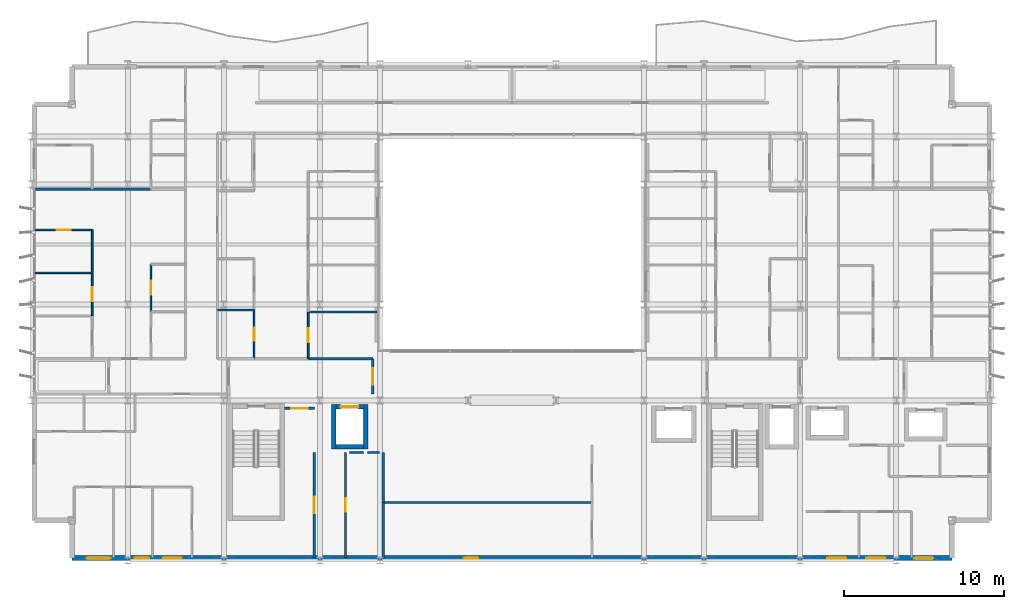
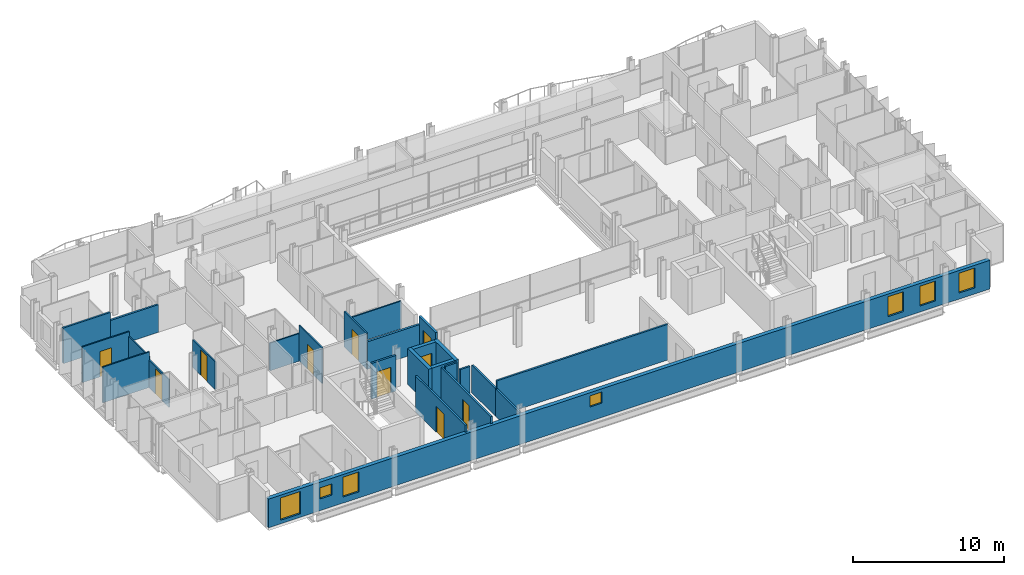
# One storey, part 28 of 38: 26 walls, 10 doors, 7 windows, 17 openings.
"""IFC4 building model written with IfcOpenShell, lengths in metres."""

from ifc_helpers import new_model, si_unit, direction, frame, frame_2d, origin, place, context, subcontext, project, spatial, rectangle, extrude, material, layer, layer_set, type_object, element, fill, save


model = new_model("IFC4")

# Units and contexts
model_context = context("Model", 3, precision=1e-05, world=origin(), true_north=direction((0.0, 1.0)))
body_context = subcontext(model_context, "Body", "Model", "MODEL_VIEW")
ifc_project = project(units=[si_unit("LENGTHUNIT", "METRE"), si_unit("AREAUNIT", "SQUARE_METRE"), si_unit("VOLUMEUNIT", "CUBIC_METRE"), si_unit("PLANEANGLEUNIT", "RADIAN"), si_unit("MASSUNIT", "GRAM", prefix="KILO")], contexts=[model_context])

# Site, building, storey
site_placement = place(None, origin())
site = spatial("IfcSite", under=ifc_project, at=site_placement, CompositionType="ELEMENT")
building_placement = place(site_placement, origin())
building = spatial("IfcBuilding", under=site, at=building_placement, Name="Brevholm Reach", CompositionType="ELEMENT")
storey_placement = place(building_placement, frame((0.0, 0.0, 71.39990234375)))
storey = spatial("IfcBuildingStorey", under=building, at=storey_placement, Name="L20", CompositionType="ELEMENT", Elevation=71.39990234375)

# Walls
ifc_material_1 = material(Name="Concrete C50/60", Category="concrete")
ifc_layer_1 = layer(ifc_material_1, 0.280029296875)
ifc_layer_set_1 = layer_set([ifc_layer_1], Name="Concrete C50/60")
wall_type_1 = type_object("IfcWallType", Name="WAL-COR-280", PredefinedType="SHEAR", material=ifc_layer_set_1)
for number, where, z_axis, x_axis, name in (
    (1, (18.85009765625, 6.9599609375, 0.0), (0.0, 0.0, 1.0), (0.0, 1.0, 0.0), "L20 Lift FFL-1 Shaft Wall W"),
    (2, (20.85009765625, 6.9599609375, 0.0), (0.0, 0.0, 1.0), (0.0, 1.0, 0.0), "L20 Lift FFL-1 Shaft Wall E"),
):
    element("IfcWall", number, at=place(storey_placement, frame(where, z_axis=z_axis, x_axis=x_axis)), inside=storey, type_object=wall_type_1, Name=name, PredefinedType="SHEAR", context=body_context, shape_type="SweptSolid", body=[
        extrude(rectangle(XDim=2.780029296875, YDim=0.280029296875, at=frame_2d((1.39013671875, 0.0))), origin(), (0.0, 0.0, 1.0), 2.8701171875),
    ])
wall_1_placement = place(storey_placement, frame((18.989990234375, 7.10009765625, 0.0), z_axis=(0.0, 0.0, 1.0), x_axis=(1.0, 0.0, 0.0)))
element("IfcWall", 3, at=wall_1_placement, inside=storey, type_object=wall_type_1, Name="L20 Lift FFL-1 Shaft Wall S", PredefinedType="SHEAR", context=body_context, shape_type="SweptSolid", body=[
    extrude(rectangle(XDim=1.719970703125, YDim=0.280029296875, at=frame_2d((0.85986328125, 0.0))), origin(), (0.0, 0.0, 1.0), 2.8701171875),
])

# Wall, opening, door
wall_2_placement = place(storey_placement, frame((18.989990234375, 9.60009765625, 0.0), z_axis=(0.0, 0.0, 1.0), x_axis=(1.0, 0.0, 0.0)))
wall_2 = element("IfcWall", 4, at=wall_2_placement, inside=storey, type_object=wall_type_1, Name="L20 Lift FFL-1 Shaft Wall N", PredefinedType="SHEAR", context=body_context, shape_type="SweptSolid", body=[
    extrude(rectangle(XDim=1.719970703125, YDim=0.280029296875, at=frame_2d((0.85986328125, 0.0))), origin(), (0.0, 0.0, 1.0), 2.8701171875),
])
opening_1_placement = place(wall_2_placement, frame((0.31005859375, 0.0, 0.0)))
opening_1 = element("IfcOpeningElement", 5, at=opening_1_placement, cuts=wall_2, Name="Opening LD-FFL-1", PredefinedType="OPENING", context=body_context, shape_type="SweptSolid", body=[
    extrude(rectangle(XDim=1.10009765625, YDim=2.06005859375, at=frame_2d((0.550048828125, 1.030029296875))), frame((0.0, 0.14990234375, 0.0), z_axis=(0.0, -1.0, 0.0), x_axis=(1.0, 0.0, 0.0)), (0.0, 0.0, 1.0), 0.300048828125),
])
ifc_material_2 = material(Name="Brushed Stainless Steel Fire-Rated Sliding Lift Door", Category="steel")
door_type_1 = type_object("IfcDoorType", Name="DOR-LFT-1100", OperationType="NOTDEFINED", PredefinedType="DOOR", material=ifc_material_2)
door_1_placement = place(opening_1_placement, origin())
door_1 = element("IfcDoor", 6, at=door_1_placement, inside=storey, type_object=door_type_1, Name="L20 Lift FFL-1 Sliding Landing Door", OperationType="SLIDING_TO_RIGHT", OverallHeight=2.06005859375, OverallWidth=1.10009765625, PredefinedType="DOOR", context=body_context, shape_type="SweptSolid", body=[
    extrude(rectangle(XDim=1.10009765625, YDim=2.06005859375, at=frame_2d((0.550048828125, 1.030029296875))), frame((0.0, 0.02490234375, 0.0), z_axis=(0.0, -1.0, 0.0), x_axis=(1.0, 0.0, 0.0)), (0.0, 0.0, 1.0), 0.050048828125),
])
fill(opening_1, door_1)

# Wall, openings, windows
ifc_material_3 = material(Name="Concrete C40/50", Category="concrete")
ifc_layer_2 = layer(ifc_material_3, 0.300048828125)
ifc_layer_set_2 = layer_set([ifc_layer_2], Name="Concrete C40/50")
wall_type_2 = type_object("IfcWallType", Name="WAL-EXT-300", PredefinedType="STANDARD", material=ifc_layer_set_2)
wall_3_placement = place(storey_placement, frame((2.5, 0.14990234375, 0.0), z_axis=(0.0, 0.0, 1.0), x_axis=(1.0, 0.0, 0.0)))
wall_3 = element("IfcWall", 7, at=wall_3_placement, inside=storey, type_object=wall_type_2, Name="L20 Facade Wall WAL-L20-S", PredefinedType="STANDARD", context=body_context, shape_type="SweptSolid", body=[
    extrude(rectangle(XDim=55.0, YDim=0.300048828125, at=frame_2d((27.5, 0.0))), origin(), (0.0, 0.0, 1.0), 2.3056640625),
])
opening_2_placement = place(wall_3_placement, frame((0.919921875, 0.0, 0.284912109375)))
opening_2 = element("IfcOpeningElement", 8, at=opening_2_placement, cuts=wall_3, Name="Opening WN-05", PredefinedType="OPENING", context=body_context, shape_type="SweptSolid", body=[
    extrude(rectangle(XDim=1.5, YDim=1.800048828125, at=frame_2d((0.75, 0.89990234375))), frame((0.0, 0.159912109375, 0.0), z_axis=(0.0, -1.0, 0.0), x_axis=(1.0, 0.0, 0.0)), (0.0, 0.0, 1.0), 0.320068359375),
])
opening_3_placement = place(wall_3_placement, frame((24.5, 0.0, 1.14990234375)))
opening_3 = element("IfcOpeningElement", 9, at=opening_3_placement, cuts=wall_3, Name="Opening WN-09", PredefinedType="OPENING", context=body_context, shape_type="SweptSolid", body=[
    extrude(rectangle(XDim=0.89990234375, YDim=0.89990234375, at=frame_2d((0.449951171875, 0.449951171875))), frame((0.0, 0.159912109375, 0.0), z_axis=(0.0, -1.0, 0.0), x_axis=(1.0, 0.0, 0.0)), (0.0, 0.0, 1.0), 0.320068359375),
])
opening_4_placement = place(wall_3_placement, frame((47.199951171875, 0.0, 0.485107421875)))
opening_4 = element("IfcOpeningElement", 10, at=opening_4_placement, cuts=wall_3, Name="Opening WN-08", PredefinedType="OPENING", context=body_context, shape_type="SweptSolid", body=[
    extrude(rectangle(XDim=1.199951171875, YDim=1.60009765625, at=frame_2d((0.60009765625, 0.800048828125))), frame((0.0, 0.159912109375, 0.0), z_axis=(0.0, -1.0, 0.0), x_axis=(1.0, 0.0, 0.0)), (0.0, 0.0, 1.0), 0.320068359375),
])
opening_5_placement = place(wall_3_placement, frame((52.6298828125, 0.0, 0.485107421875)))
opening_5 = element("IfcOpeningElement", 11, at=opening_5_placement, cuts=wall_3, Name="Opening WN-08", PredefinedType="OPENING", context=body_context, shape_type="SweptSolid", body=[
    extrude(rectangle(XDim=1.199951171875, YDim=1.60009765625, at=frame_2d((0.60009765625, 0.800048828125))), frame((0.0, 0.159912109375, 0.0), z_axis=(0.0, -1.0, 0.0), x_axis=(1.0, 0.0, 0.0)), (0.0, 0.0, 1.0), 0.320068359375),
])
opening_6_placement = place(wall_3_placement, frame((3.923828125, 0.0, 0.949951171875)))
opening_6 = element("IfcOpeningElement", 12, at=opening_6_placement, cuts=wall_3, Name="Opening WN-09", PredefinedType="OPENING", context=body_context, shape_type="SweptSolid", body=[
    extrude(rectangle(XDim=0.89990234375, YDim=0.89990234375, at=frame_2d((0.449951171875, 0.449951171875))), frame((0.0, 0.159912109375, 0.0), z_axis=(0.0, -1.0, 0.0), x_axis=(1.0, 0.0, 0.0)), (0.0, 0.0, 1.0), 0.320068359375),
])
opening_7_placement = place(wall_3_placement, frame((5.675048828125, 0.0, 0.485595703125)))
opening_7 = element("IfcOpeningElement", 13, at=opening_7_placement, cuts=wall_3, Name="Opening WN-08", PredefinedType="OPENING", context=body_context, shape_type="SweptSolid", body=[
    extrude(rectangle(XDim=1.199951171875, YDim=1.60009765625, at=frame_2d((0.60009765625, 0.800048828125))), frame((0.0, 0.159912109375, 0.0), z_axis=(0.0, -1.0, 0.0), x_axis=(1.0, 0.0, 0.0)), (0.0, 0.0, 1.0), 0.320068359375),
])
opening_8_placement = place(wall_3_placement, frame((49.638671875, 0.0, 0.485595703125)))
opening_8 = element("IfcOpeningElement", 14, at=opening_8_placement, cuts=wall_3, Name="Opening WN-08", PredefinedType="OPENING", context=body_context, shape_type="SweptSolid", body=[
    extrude(rectangle(XDim=1.199951171875, YDim=1.60009765625, at=frame_2d((0.60009765625, 0.800048828125))), frame((0.0, 0.159912109375, 0.0), z_axis=(0.0, -1.0, 0.0), x_axis=(1.0, 0.0, 0.0)), (0.0, 0.0, 1.0), 0.320068359375),
])
ifc_material_4 = material(Name="Dark Anodised Aluminium and Solar-Control IGU Glass", Category="aluminium")
window_type_1 = type_object("IfcWindowType", Name="WIN-POR-0900", PartitioningType="SINGLE_PANEL", PredefinedType="WINDOW", material=ifc_material_4)
window_1_placement = place(opening_3_placement, origin())
window_1 = element("IfcWindow", 15, at=window_1_placement, inside=storey, type_object=window_type_1, Name="L20 Window WIN-L20-S-POR", OverallHeight=0.89990234375, OverallWidth=0.89990234375, PartitioningType="SINGLE_PANEL", PredefinedType="WINDOW", context=body_context, shape_type="SweptSolid", body=[
    extrude(rectangle(XDim=0.89990234375, YDim=0.89990234375, at=frame_2d((0.449951171875, 0.449951171875))), frame((0.0, 0.030029296875, 0.0), z_axis=(0.0, -1.0, 0.0), x_axis=(1.0, 0.0, 0.0)), (0.0, 0.0, 1.0), 0.06005859375),
])
fill(opening_3, window_1)
window_2_placement = place(opening_6_placement, origin())
window_2 = element("IfcWindow", 16, at=window_2_placement, inside=storey, type_object=window_type_1, Name="L20 Bedroom Window 018", OverallHeight=0.89990234375, OverallWidth=0.89990234375, PartitioningType="SINGLE_PANEL", PredefinedType="WINDOW", context=body_context, shape_type="SweptSolid", body=[
    extrude(rectangle(XDim=0.89990234375, YDim=0.89990234375, at=frame_2d((0.449951171875, 0.449951171875))), frame((0.0, 0.030029296875, 0.0), z_axis=(0.0, -1.0, 0.0), x_axis=(1.0, 0.0, 0.0)), (0.0, 0.0, 1.0), 0.06005859375),
])
fill(opening_6, window_2)
ifc_material_5 = material(Name="Dark Anodised Aluminium and Solar-Control IGU Glass", Category="aluminium")
window_type_2 = type_object("IfcWindowType", Name="WIN-RES-1200", PartitioningType="SINGLE_PANEL", PredefinedType="WINDOW", material=ifc_material_5)
window_3_placement = place(opening_4_placement, origin())
window_3 = element("IfcWindow", 17, at=window_3_placement, inside=storey, type_object=window_type_2, Name="L20 Window WIN-L20-S-E1", OverallHeight=1.60009765625, OverallWidth=1.199951171875, PartitioningType="SINGLE_PANEL", PredefinedType="WINDOW", context=body_context, shape_type="SweptSolid", body=[
    extrude(rectangle(XDim=1.199951171875, YDim=1.60009765625, at=frame_2d((0.60009765625, 0.800048828125))), frame((0.0, 0.030029296875, 0.0), z_axis=(0.0, -1.0, 0.0), x_axis=(1.0, 0.0, 0.0)), (0.0, 0.0, 1.0), 0.06005859375),
])
fill(opening_4, window_3)
window_4_placement = place(opening_5_placement, origin())
window_4 = element("IfcWindow", 18, at=window_4_placement, inside=storey, type_object=window_type_2, Name="L20 Window WIN-L20-S-E2", OverallHeight=1.60009765625, OverallWidth=1.199951171875, PartitioningType="SINGLE_PANEL", PredefinedType="WINDOW", context=body_context, shape_type="SweptSolid", body=[
    extrude(rectangle(XDim=1.199951171875, YDim=1.60009765625, at=frame_2d((0.60009765625, 0.800048828125))), frame((0.0, 0.030029296875, 0.0), z_axis=(0.0, -1.0, 0.0), x_axis=(1.0, 0.0, 0.0)), (0.0, 0.0, 1.0), 0.06005859375),
])
fill(opening_5, window_4)
window_5_placement = place(opening_7_placement, origin())
window_5 = element("IfcWindow", 19, at=window_5_placement, inside=storey, type_object=window_type_2, Name="L20 Bedroom Window 019", OverallHeight=1.60009765625, OverallWidth=1.199951171875, PartitioningType="SINGLE_PANEL", PredefinedType="WINDOW", context=body_context, shape_type="SweptSolid", body=[
    extrude(rectangle(XDim=1.199951171875, YDim=1.60009765625, at=frame_2d((0.60009765625, 0.800048828125))), frame((0.0, 0.030029296875, 0.0), z_axis=(0.0, -1.0, 0.0), x_axis=(1.0, 0.0, 0.0)), (0.0, 0.0, 1.0), 0.06005859375),
])
fill(opening_7, window_5)
window_6_placement = place(opening_8_placement, origin())
window_6 = element("IfcWindow", 20, at=window_6_placement, inside=storey, type_object=window_type_2, Name="L20 Bedroom Window 020", OverallHeight=1.60009765625, OverallWidth=1.199951171875, PartitioningType="SINGLE_PANEL", PredefinedType="WINDOW", context=body_context, shape_type="SweptSolid", body=[
    extrude(rectangle(XDim=1.199951171875, YDim=1.60009765625, at=frame_2d((0.60009765625, 0.800048828125))), frame((0.0, 0.030029296875, 0.0), z_axis=(0.0, -1.0, 0.0), x_axis=(1.0, 0.0, 0.0)), (0.0, 0.0, 1.0), 0.06005859375),
])
fill(opening_8, window_6)
ifc_material_6 = material(Name="Dark Anodised Aluminium and Solar-Control IGU Glass", Category="aluminium")
window_type_3 = type_object("IfcWindowType", Name="WIN-RES-1500", PartitioningType="SINGLE_PANEL", PredefinedType="WINDOW", material=ifc_material_6)
window_7_placement = place(opening_2_placement, origin())
window_7 = element("IfcWindow", 21, at=window_7_placement, inside=storey, type_object=window_type_3, Name="L20 Window WIN-L20-S-W1", OverallHeight=1.800048828125, OverallWidth=1.5, PartitioningType="SINGLE_PANEL", PredefinedType="WINDOW", context=body_context, shape_type="SweptSolid", body=[
    extrude(rectangle(XDim=1.5, YDim=1.800048828125, at=frame_2d((0.75, 0.89990234375))), frame((0.0, 0.030029296875, 0.0), z_axis=(0.0, -1.0, 0.0), x_axis=(1.0, 0.0, 0.0)), (0.0, 0.0, 1.0), 0.06005859375),
])
fill(opening_2, window_7)

# Wall, opening, door
ifc_material_7 = material(Name="Moisture-Resistant Acoustic Gypsum Stud Partition 100 mm", Category="gypsum")
ifc_layer_3 = layer(ifc_material_7, 0.10009765625)
ifc_layer_set_3 = layer_set([ifc_layer_3], Name="Moisture-Resistant Acoustic Gypsum Stud Partition 100 mm")
wall_type_3 = type_object("IfcWallType", Name="WAL-PRT-100", PredefinedType="PARTITIONING", material=ifc_layer_set_3)
wall_4_placement = place(storey_placement, frame((7.43798828125, 15.5458984375, 0.0), z_axis=(0.0, 0.0, 1.0), x_axis=(0.0, 1.0, 0.0)))
wall_4 = element("IfcWall", 22, at=wall_4_placement, inside=storey, type_object=wall_type_3, Name="L20 Internal Partition 090", PredefinedType="PARTITIONING", context=body_context, shape_type="SweptSolid", body=[
    extrude(rectangle(XDim=2.964111328125, YDim=0.10009765625, at=frame_2d((1.48193359375, 0.0))), origin(), (0.0, 0.0, 1.0), 2.224853515625),
])
opening_9_placement = place(wall_4_placement, frame((1.0419921875, 0.0, 0.0)))
opening_9 = element("IfcOpeningElement", 23, at=opening_9_placement, cuts=wall_4, Name="Opening ID-01", PredefinedType="OPENING", context=body_context, shape_type="SweptSolid", body=[
    extrude(rectangle(XDim=0.8798828125, YDim=2.0400390625, at=frame_2d((0.43994140625, 1.02001953125))), frame((0.0, 0.06005859375, 0.0), z_axis=(0.0, -1.0, 0.0), x_axis=(1.0, 0.0, 0.0)), (0.0, 0.0, 1.0), 0.1201171875),
])
ifc_material_8 = material(Name="Lacquered Ash Solid-Core Acoustic Internal Door", Category="timber")
door_type_2 = type_object("IfcDoorType", Name="DOR-INT-880", OperationType="NOTDEFINED", PredefinedType="DOOR", material=ifc_material_8)
door_2_placement = place(opening_9_placement, origin())
door_2 = element("IfcDoor", 24, at=door_2_placement, inside=storey, type_object=door_type_2, Name="L20 Internal Door 031", OperationType="SINGLE_SWING_RIGHT", OverallHeight=2.0400390625, OverallWidth=0.8798828125, PredefinedType="DOOR", context=body_context, shape_type="SweptSolid", body=[
    extrude(rectangle(XDim=0.8798828125, YDim=2.0400390625, at=frame_2d((0.43994140625, 1.02001953125))), frame((0.0, 0.02490234375, 0.0), z_axis=(0.0, -1.0, 0.0), x_axis=(1.0, 0.0, 0.0)), (0.0, 0.0, 1.0), 0.050048828125),
])
fill(opening_9, door_2)

# Wall
wall_5_placement = place(storey_placement, frame((0.199951171875, 17.969970703125, 0.0), z_axis=(0.0, 0.0, 1.0), x_axis=(1.0, 0.0, 0.0)))
element("IfcWall", 25, at=wall_5_placement, inside=storey, type_object=wall_type_3, Name="L20 Internal Partition 093", PredefinedType="PARTITIONING", context=body_context, shape_type="SweptSolid", body=[
    extrude(rectangle(XDim=3.572021484375, YDim=0.10009765625, at=frame_2d((1.7861328125, 0.0))), origin(), (0.0, 0.0, 1.0), 2.8701171875),
])

# Wall, opening, door
wall_6_placement = place(storey_placement, frame((3.77197265625, 15.2890625, 0.0), z_axis=(0.0, 0.0, 1.0), x_axis=(0.0, 1.0, 0.0)))
wall_6 = element("IfcWall", 26, at=wall_6_placement, inside=storey, type_object=wall_type_3, Name="L20 Internal Partition 094", PredefinedType="PARTITIONING", context=body_context, shape_type="SweptSolid", body=[
    extrude(rectangle(XDim=2.680908203125, YDim=0.10009765625, at=frame_2d((1.34033203125, 0.0))), origin(), (0.0, 0.0, 1.0), 2.224853515625),
])
opening_10_placement = place(wall_6_placement, frame((0.900390625, 0.0, 0.0)))
opening_10 = element("IfcOpeningElement", 27, at=opening_10_placement, cuts=wall_6, Name="Opening ID-01", PredefinedType="OPENING", context=body_context, shape_type="SweptSolid", body=[
    extrude(rectangle(XDim=0.8798828125, YDim=2.0400390625, at=frame_2d((0.43994140625, 1.02001953125))), frame((0.0, 0.06005859375, 0.0), z_axis=(0.0, -1.0, 0.0), x_axis=(1.0, 0.0, 0.0)), (0.0, 0.0, 1.0), 0.1201171875),
])
door_3_placement = place(opening_10_placement, origin())
door_3 = element("IfcDoor", 28, at=door_3_placement, inside=storey, type_object=door_type_2, Name="L20 Internal Door 033", OperationType="SINGLE_SWING_RIGHT", OverallHeight=2.0400390625, OverallWidth=0.8798828125, PredefinedType="DOOR", context=body_context, shape_type="SweptSolid", body=[
    extrude(rectangle(XDim=0.8798828125, YDim=2.0400390625, at=frame_2d((0.43994140625, 1.02001953125))), frame((0.0, 0.02490234375, 0.0), z_axis=(0.0, -1.0, 0.0), x_axis=(1.0, 0.0, 0.0)), (0.0, 0.0, 1.0), 0.050048828125),
])
fill(opening_10, door_3)

# Wall
wall_7_placement = place(storey_placement, frame((3.77197265625, 17.97412109375, 0.0), z_axis=(0.0, 0.0, 1.0), x_axis=(0.0, 1.0, 0.0)))
element("IfcWall", 29, at=wall_7_placement, inside=storey, type_object=wall_type_3, Name="L20 Internal Partition 095", PredefinedType="PARTITIONING", context=body_context, shape_type="SweptSolid", body=[
    extrude(rectangle(XDim=2.680908203125, YDim=0.10009765625, at=frame_2d((1.34033203125, 0.0))), origin(), (0.0, 0.0, 1.0), 2.489990234375),
])

# Wall, opening, door
wall_8_placement = place(storey_placement, frame((0.199951171875, 20.655029296875, 0.0), z_axis=(0.0, 0.0, 1.0), x_axis=(1.0, 0.0, 0.0)))
wall_8 = element("IfcWall", 30, at=wall_8_placement, inside=storey, type_object=wall_type_3, Name="L20 Internal Partition 096", PredefinedType="PARTITIONING", context=body_context, shape_type="SweptSolid", body=[
    extrude(rectangle(XDim=3.572021484375, YDim=0.10009765625, at=frame_2d((1.7861328125, 0.0))), origin(), (0.0, 0.0, 1.0), 2.8701171875),
])
opening_11_placement = place(wall_8_placement, frame((1.345947265625, 0.0, 0.0)))
opening_11 = element("IfcOpeningElement", 31, at=opening_11_placement, cuts=wall_8, Name="Opening ID-01", PredefinedType="OPENING", context=body_context, shape_type="SweptSolid", body=[
    extrude(rectangle(XDim=0.8798828125, YDim=2.0400390625, at=frame_2d((0.43994140625, 1.02001953125))), frame((0.0, 0.06005859375, 0.0), z_axis=(0.0, -1.0, 0.0), x_axis=(1.0, 0.0, 0.0)), (0.0, 0.0, 1.0), 0.1201171875),
])
door_4_placement = place(opening_11_placement, origin())
door_4 = element("IfcDoor", 32, at=door_4_placement, inside=storey, type_object=door_type_2, Name="L20 Internal Door 034", OperationType="SINGLE_SWING_LEFT", OverallHeight=2.0400390625, OverallWidth=0.8798828125, PredefinedType="DOOR", context=body_context, shape_type="SweptSolid", body=[
    extrude(rectangle(XDim=0.8798828125, YDim=2.0400390625, at=frame_2d((0.43994140625, 1.02001953125))), frame((0.0, 0.02490234375, 0.0), z_axis=(0.0, -1.0, 0.0), x_axis=(1.0, 0.0, 0.0)), (0.0, 0.0, 1.0), 0.050048828125),
])
fill(opening_11, door_4)

# Wall
wall_9_placement = place(storey_placement, frame((11.60400390625, 15.64990234375, 0.0), z_axis=(0.0, 0.0, 1.0), x_axis=(1.0, 0.0, 0.0)))
element("IfcWall", 33, at=wall_9_placement, inside=storey, type_object=wall_type_3, Name="L20 Internal Partition 106", PredefinedType="PARTITIONING", context=body_context, shape_type="SweptSolid", body=[
    extrude(rectangle(XDim=2.284912109375, YDim=0.10009765625, at=frame_2d((1.142578125, 0.0))), origin(), (0.0, 0.0, 1.0), 2.224853515625),
])

# Wall, opening, door
wall_10_placement = place(storey_placement, frame((13.888916015625, 12.60400390625, 0.0), z_axis=(0.0, 0.0, 1.0), x_axis=(0.0, 1.0, 0.0)))
wall_10 = element("IfcWall", 34, at=wall_10_placement, inside=storey, type_object=wall_type_3, Name="L20 Internal Partition 107", PredefinedType="PARTITIONING", context=body_context, shape_type="SweptSolid", body=[
    extrude(rectangle(XDim=3.0458984375, YDim=0.10009765625, at=frame_2d((1.52294921875, 0.0))), origin(), (0.0, 0.0, 1.0), 2.8701171875),
])
opening_12_placement = place(wall_10_placement, frame((1.113037109375, 0.0, 0.0)))
opening_12 = element("IfcOpeningElement", 35, at=opening_12_placement, cuts=wall_10, Name="Opening ID-03", PredefinedType="OPENING", context=body_context, shape_type="SweptSolid", body=[
    extrude(rectangle(XDim=0.820068359375, YDim=2.02001953125, at=frame_2d((0.41015625, 1.010009765625))), frame((0.0, 0.06005859375, 0.0), z_axis=(0.0, -1.0, 0.0), x_axis=(1.0, 0.0, 0.0)), (0.0, 0.0, 1.0), 0.1201171875),
])
ifc_material_9 = material(Name="Moisture-Resistant Painted Timber Internal Bathroom Door", Category="wood")
door_type_3 = type_object("IfcDoorType", Name="DOR-BATH-820", OperationType="NOTDEFINED", PredefinedType="DOOR", material=ifc_material_9)
door_5_placement = place(opening_12_placement, origin())
door_5 = element("IfcDoor", 36, at=door_5_placement, inside=storey, type_object=door_type_3, Name="L20 Internal Door 038", OperationType="SINGLE_SWING_LEFT", OverallHeight=2.02001953125, OverallWidth=0.820068359375, PredefinedType="DOOR", context=body_context, shape_type="SweptSolid", body=[
    extrude(rectangle(XDim=0.820068359375, YDim=2.02001953125, at=frame_2d((0.41015625, 1.010009765625))), frame((0.0, 0.02490234375, 0.0), z_axis=(0.0, -1.0, 0.0), x_axis=(1.0, 0.0, 0.0)), (0.0, 0.0, 1.0), 0.050048828125),
])
fill(opening_12, door_5)

# Wall
wall_11_placement = place(storey_placement, frame((17.27099609375, 15.52490234375, 0.0), z_axis=(0.0, 0.0, 1.0), x_axis=(1.0, 0.0, 0.0)))
element("IfcWall", 37, at=wall_11_placement, inside=storey, type_object=wall_type_3, Name="L20 Internal Partition 112", PredefinedType="PARTITIONING", context=body_context, shape_type="SweptSolid", body=[
    extrude(rectangle(XDim=4.279052734375, YDim=0.10009765625, at=frame_2d((2.1396484375, 0.0))), origin(), (0.0, 0.0, 1.0), 2.224853515625),
])

# Wall, opening, door
wall_12_placement = place(storey_placement, frame((17.27099609375, 12.60400390625, 0.0), z_axis=(0.0, 0.0, 1.0), x_axis=(0.0, 1.0, 0.0)))
wall_12 = element("IfcWall", 38, at=wall_12_placement, inside=storey, type_object=wall_type_3, Name="L20 Internal Partition 113", PredefinedType="PARTITIONING", context=body_context, shape_type="SweptSolid", body=[
    extrude(rectangle(XDim=2.9208984375, YDim=0.10009765625, at=frame_2d((1.46044921875, 0.0))), origin(), (0.0, 0.0, 1.0), 2.8701171875),
])
opening_13_placement = place(wall_12_placement, frame((1.0205078125, 0.0, 0.0)))
opening_13 = element("IfcOpeningElement", 39, at=opening_13_placement, cuts=wall_12, Name="Opening ID-01", PredefinedType="OPENING", context=body_context, shape_type="SweptSolid", body=[
    extrude(rectangle(XDim=0.8798828125, YDim=2.0400390625, at=frame_2d((0.43994140625, 1.02001953125))), frame((0.0, 0.06005859375, 0.0), z_axis=(0.0, -1.0, 0.0), x_axis=(1.0, 0.0, 0.0)), (0.0, 0.0, 1.0), 0.1201171875),
])
door_6_placement = place(opening_13_placement, origin())
door_6 = element("IfcDoor", 40, at=door_6_placement, inside=storey, type_object=door_type_2, Name="L20 Internal Door 041", OperationType="SINGLE_SWING_RIGHT", OverallHeight=2.0400390625, OverallWidth=0.8798828125, PredefinedType="DOOR", context=body_context, shape_type="SweptSolid", body=[
    extrude(rectangle(XDim=0.8798828125, YDim=2.0400390625, at=frame_2d((0.43994140625, 1.02001953125))), frame((0.0, 0.02490234375, 0.0), z_axis=(0.0, -1.0, 0.0), x_axis=(1.0, 0.0, 0.0)), (0.0, 0.0, 1.0), 0.050048828125),
])
fill(opening_13, door_6)

# Walls
ifc_material_10 = material(Name="Twin-Stud Acoustic Fire-Rated Gypsum Partition 140 mm", Category="gypsum")
ifc_layer_4 = layer(ifc_material_10, 0.139892578125)
ifc_layer_set_4 = layer_set([ifc_layer_4], Name="Twin-Stud Acoustic Fire-Rated Gypsum Partition 140 mm")
wall_type_4 = type_object("IfcWallType", Name="WAL-PRT-140", PredefinedType="PARTITIONING", material=ifc_layer_set_4)
wall_13_placement = place(storey_placement, frame((21.949951171875, 3.6201171875, 0.0), z_axis=(0.0, 0.0, 1.0), x_axis=(1.0, 0.0, 0.0)))
element("IfcWall", 41, at=wall_13_placement, inside=storey, type_object=wall_type_4, Name="L20 Internal Partition 003", PredefinedType="PARTITIONING", context=body_context, shape_type="SweptSolid", body=[
    extrude(rectangle(XDim=13.046142578125, YDim=0.139892578125, at=frame_2d((6.52294921875, 0.0))), origin(), (0.0, 0.0, 1.0), 2.8701171875),
])
wall_14_placement = place(storey_placement, frame((21.949951171875, 0.179931640625, 0.0), z_axis=(0.0, 0.0, 1.0), x_axis=(0.0, 1.0, 0.0)))
element("IfcWall", 42, at=wall_14_placement, inside=storey, type_object=wall_type_4, Name="L20 Internal Partition 004", PredefinedType="PARTITIONING", context=body_context, shape_type="SweptSolid", body=[
    extrude(rectangle(XDim=3.440185546875, YDim=0.139892578125, at=frame_2d((1.72021484375, 0.0))), origin(), (0.0, 0.0, 1.0), 2.224853515625),
])
wall_15_placement = place(storey_placement, frame((21.949951171875, 3.6240234375, 0.0), z_axis=(0.0, 0.0, 1.0), x_axis=(0.0, 1.0, 0.0)))
element("IfcWall", 43, at=wall_15_placement, inside=storey, type_object=wall_type_4, Name="L20 Internal Partition 005", PredefinedType="PARTITIONING", context=body_context, shape_type="SweptSolid", body=[
    extrude(rectangle(XDim=3.13720703125, YDim=0.139892578125, at=frame_2d((1.568603515625, 0.0))), origin(), (0.0, 0.0, 1.0), 2.224853515625),
])

# Wall, opening, door
wall_16_placement = place(storey_placement, frame((17.64990234375, 0.179931640625, 0.0), z_axis=(0.0, 0.0, 1.0), x_axis=(0.0, 1.0, 0.0)))
wall_16 = element("IfcWall", 44, at=wall_16_placement, inside=storey, type_object=wall_type_4, Name="L20 Internal Partition 006", PredefinedType="PARTITIONING", context=body_context, shape_type="SweptSolid", body=[
    extrude(rectangle(XDim=6.581298828125, YDim=0.139892578125, at=frame_2d((3.29052734375, 0.0))), origin(), (0.0, 0.0, 1.0), 2.8701171875),
])
opening_14_placement = place(wall_16_placement, frame((2.765625, 0.0, 0.0)))
opening_14 = element("IfcOpeningElement", 45, at=opening_14_placement, cuts=wall_16, Name="Opening FD-01", PredefinedType="OPENING", context=body_context, shape_type="SweptSolid", body=[
    extrude(rectangle(XDim=1.050048828125, YDim=2.06005859375, at=frame_2d((0.52490234375, 1.030029296875))), frame((0.0, 0.079833984375, 0.0), z_axis=(0.0, -1.0, 0.0), x_axis=(1.0, 0.0, 0.0)), (0.0, 0.0, 1.0), 0.159912109375),
])
ifc_material_11 = material(Name="Hardwood-Lipped Steel-Core Fire and Smoke Door", Category="steel")
door_type_4 = type_object("IfcDoorType", Name="DOR-INT-FD60S", OperationType="NOTDEFINED", PredefinedType="DOOR", material=ifc_material_11)
door_7_placement = place(opening_14_placement, origin())
door_7 = element("IfcDoor", 46, at=door_7_placement, inside=storey, type_object=door_type_4, Name="L20 Internal Door 003", OperationType="SINGLE_SWING_RIGHT", OverallHeight=2.06005859375, OverallWidth=1.050048828125, PredefinedType="DOOR", context=body_context, shape_type="SweptSolid", body=[
    extrude(rectangle(XDim=1.050048828125, YDim=2.06005859375, at=frame_2d((0.52490234375, 1.030029296875))), frame((0.0, 0.02490234375, 0.0), z_axis=(0.0, -1.0, 0.0), x_axis=(1.0, 0.0, 0.0)), (0.0, 0.0, 1.0), 0.050048828125),
])
fill(opening_14, door_7)

wall_17_placement = place(storey_placement, frame((19.60009765625, 0.179931640625, 0.0), z_axis=(0.0, 0.0, 1.0), x_axis=(0.0, 1.0, 0.0)))
wall_17 = element("IfcWall", 47, at=wall_17_placement, inside=storey, type_object=wall_type_4, Name="L20 Internal Partition 008", PredefinedType="PARTITIONING", context=body_context, shape_type="SweptSolid", body=[
    extrude(rectangle(XDim=6.570068359375, YDim=0.139892578125, at=frame_2d((3.28515625, 0.0))), origin(), (0.0, 0.0, 1.0), 2.8701171875),
])
opening_15_placement = place(wall_17_placement, frame((2.875, 0.0, 0.0)))
opening_15 = element("IfcOpeningElement", 48, at=opening_15_placement, cuts=wall_17, Name="Opening ID-02", PredefinedType="OPENING", context=body_context, shape_type="SweptSolid", body=[
    extrude(rectangle(XDim=0.820068359375, YDim=2.02001953125, at=frame_2d((0.41015625, 1.010009765625))), frame((0.0, 0.079833984375, 0.0), z_axis=(0.0, -1.0, 0.0), x_axis=(1.0, 0.0, 0.0)), (0.0, 0.0, 1.0), 0.159912109375),
])
ifc_material_12 = material(Name="Moisture-Resistant Painted Timber Fire-Rated Riser and Service Door", Category="wood")
door_type_5 = type_object("IfcDoorType", Name="DOR-SRV-820", OperationType="NOTDEFINED", PredefinedType="DOOR", material=ifc_material_12)
door_8_placement = place(opening_15_placement, origin())
door_8 = element("IfcDoor", 49, at=door_8_placement, inside=storey, type_object=door_type_5, Name="L20 Access Door 060", OperationType="SINGLE_SWING_LEFT", OverallHeight=2.02001953125, OverallWidth=0.820068359375, PredefinedType="DOOR", context=body_context, shape_type="SweptSolid", body=[
    extrude(rectangle(XDim=0.820068359375, YDim=2.02001953125, at=frame_2d((0.41015625, 1.010009765625))), frame((0.0, 0.02490234375, 0.0), z_axis=(0.0, -1.0, 0.0), x_axis=(1.0, 0.0, 0.0)), (0.0, 0.0, 1.0), 0.050048828125),
])
fill(opening_15, door_8)

# Walls
wall_18_placement = place(storey_placement, frame((0.199951171875, 23.199951171875, 0.0), z_axis=(0.0, 0.0, 1.0), x_axis=(1.0, 0.0, 0.0)))
element("IfcWall", 50, at=wall_18_placement, inside=storey, type_object=wall_type_4, Name="L20 Internal Partition 098", PredefinedType="PARTITIONING", context=body_context, shape_type="SweptSolid", body=[
    extrude(rectangle(XDim=3.583251953125, YDim=0.139892578125, at=frame_2d((1.79150390625, 0.0))), origin(), (0.0, 0.0, 1.0), 2.8701171875),
])
wall_19_placement = place(storey_placement, frame((3.7646484375, 23.199951171875, 0.0), z_axis=(0.0, 0.0, 1.0), x_axis=(1.0, 0.0, 0.0)))
element("IfcWall", 51, at=wall_19_placement, inside=storey, type_object=wall_type_4, Name="L20 Internal Partition 099", PredefinedType="PARTITIONING", context=body_context, shape_type="SweptSolid", body=[
    extrude(rectangle(XDim=3.6806640625, YDim=0.139892578125, at=frame_2d((1.84033203125, 0.0))), origin(), (0.0, 0.0, 1.0), 2.224853515625),
])
wall_20_placement = place(storey_placement, frame((20.9658203125, 6.75, 0.0), z_axis=(0.0, 0.0, 1.0), x_axis=(1.0, 0.0, 0.0)))
element("IfcWall", 52, at=wall_20_placement, inside=storey, type_object=wall_type_4, Name="L20 Internal Partition 154", PredefinedType="PARTITIONING", context=body_context, shape_type="SweptSolid", body=[
    extrude(rectangle(XDim=0.744140625, YDim=0.139892578125, at=frame_2d((0.3720703125, 0.0))), origin(), (0.0, 0.0, 1.0), 2.224853515625),
])
wall_21_placement = place(storey_placement, frame((19.840087890625, 6.75, 0.0), z_axis=(0.0, 0.0, 1.0), x_axis=(1.0, 0.0, 0.0)))
element("IfcWall", 53, at=wall_21_placement, inside=storey, type_object=wall_type_4, Name="L20 Internal Partition 155", PredefinedType="PARTITIONING", context=body_context, shape_type="SweptSolid", body=[
    extrude(rectangle(XDim=0.89404296875, YDim=0.139892578125, at=frame_2d((0.447021484375, 0.0))), origin(), (0.0, 0.0, 1.0), 2.8701171875),
])

# Wall, opening, door
ifc_material_13 = material(Name="Twin-Frame Fire-Rated Gypsum Board and Mineral Wool 160 mm", Category="gypsum")
ifc_layer_5 = layer(ifc_material_13, 0.159912109375)
ifc_layer_set_5 = layer_set([ifc_layer_5], Name="Twin-Frame Fire-Rated Gypsum Board and Mineral Wool 160 mm")
wall_type_5 = type_object("IfcWallType", Name="WAL-PRT-160", PredefinedType="PARTITIONING", material=ifc_layer_set_5)
wall_22_placement = place(storey_placement, frame((15.800048828125, 9.5, 0.0), z_axis=(0.0, 0.0, 1.0), x_axis=(1.0, 0.0, 0.0)))
wall_22 = element("IfcWall", 54, at=wall_22_placement, inside=storey, type_object=wall_type_5, Name="L20 Internal Partition 007", PredefinedType="PARTITIONING", context=body_context, shape_type="SweptSolid", body=[
    extrude(rectangle(XDim=1.849853515625, YDim=0.159912109375, at=frame_2d((0.9248046875, 0.0))), origin(), (0.0, 0.0, 1.0), 2.8701171875),
])
opening_16_placement = place(wall_22_placement, frame((0.39990234375, 0.0, 0.0)))
opening_16 = element("IfcOpeningElement", 55, at=opening_16_placement, cuts=wall_22, Name="Opening FD-01", PredefinedType="OPENING", context=body_context, shape_type="SweptSolid", body=[
    extrude(rectangle(XDim=1.050048828125, YDim=2.06005859375, at=frame_2d((0.52490234375, 1.030029296875))), frame((0.0, 0.08984375, 0.0), z_axis=(0.0, -1.0, 0.0), x_axis=(1.0, 0.0, 0.0)), (0.0, 0.0, 1.0), 0.179931640625),
])
door_9_placement = place(opening_16_placement, origin())
door_9 = element("IfcDoor", 56, at=door_9_placement, inside=storey, type_object=door_type_4, Name="L20 Internal Door 004", OperationType="SINGLE_SWING_LEFT", OverallHeight=2.06005859375, OverallWidth=1.050048828125, PredefinedType="DOOR", context=body_context, shape_type="SweptSolid", body=[
    extrude(rectangle(XDim=1.050048828125, YDim=2.06005859375, at=frame_2d((0.52490234375, 1.030029296875))), frame((0.0, 0.02490234375, 0.0), z_axis=(0.0, -1.0, 0.0), x_axis=(1.0, 0.0, 0.0)), (0.0, 0.0, 1.0), 0.050048828125),
])
fill(opening_16, door_9)

wall_23_placement = place(storey_placement, frame((21.300048828125, 10.388671875, 0.0), z_axis=(0.0, 0.0, 1.0), x_axis=(0.0, 1.0, 0.0)))
wall_23 = element("IfcWall", 57, at=wall_23_placement, inside=storey, type_object=wall_type_5, Name="L20 Internal Partition 015", PredefinedType="PARTITIONING", context=body_context, shape_type="SweptSolid", body=[
    extrude(rectangle(XDim=2.21142578125, YDim=0.159912109375, at=frame_2d((1.105712890625, 0.0))), origin(), (0.0, 0.0, 1.0), 2.8701171875),
])
opening_17_placement = place(wall_23_placement, frame((0.58056640625, 0.0, 0.0)))
opening_17 = element("IfcOpeningElement", 58, at=opening_17_placement, cuts=wall_23, Name="Opening FD-01", PredefinedType="OPENING", context=body_context, shape_type="SweptSolid", body=[
    extrude(rectangle(XDim=1.050048828125, YDim=2.06005859375, at=frame_2d((0.52490234375, 1.030029296875))), frame((0.0, 0.08984375, 0.0), z_axis=(0.0, -1.0, 0.0), x_axis=(1.0, 0.0, 0.0)), (0.0, 0.0, 1.0), 0.179931640625),
])
door_10_placement = place(opening_17_placement, origin())
door_10 = element("IfcDoor", 59, at=door_10_placement, inside=storey, type_object=door_type_4, Name="L20 Internal Door 009", OperationType="SINGLE_SWING_RIGHT", OverallHeight=2.06005859375, OverallWidth=1.050048828125, PredefinedType="DOOR", context=body_context, shape_type="SweptSolid", body=[
    extrude(rectangle(XDim=1.050048828125, YDim=2.06005859375, at=frame_2d((0.52490234375, 1.030029296875))), frame((0.0, 0.02490234375, 0.0), z_axis=(0.0, -1.0, 0.0), x_axis=(1.0, 0.0, 0.0)), (0.0, 0.0, 1.0), 0.050048828125),
])
fill(opening_17, door_10)

# Wall
wall_24_placement = place(storey_placement, frame((17.259765625, 12.60009765625, 0.0), z_axis=(0.0, 0.0, 1.0), x_axis=(1.0, 0.0, 0.0)))
element("IfcWall", 60, at=wall_24_placement, inside=storey, type_object=wall_type_5, Name="L20 Internal Partition 018", PredefinedType="PARTITIONING", context=body_context, shape_type="SweptSolid", body=[
    extrude(rectangle(XDim=4.040283203125, YDim=0.159912109375, at=frame_2d((2.02001953125, 0.0))), origin(), (0.0, 0.0, 1.0), 2.224853515625),
])

save(model, "model.ifc")
